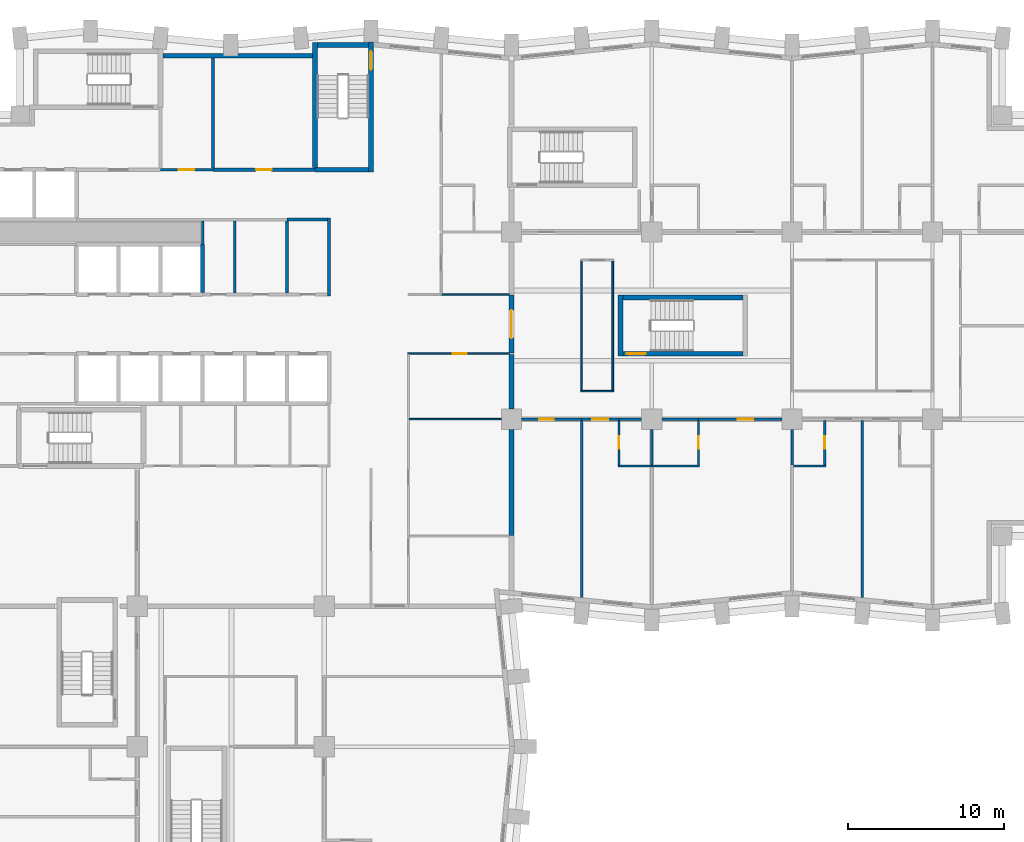
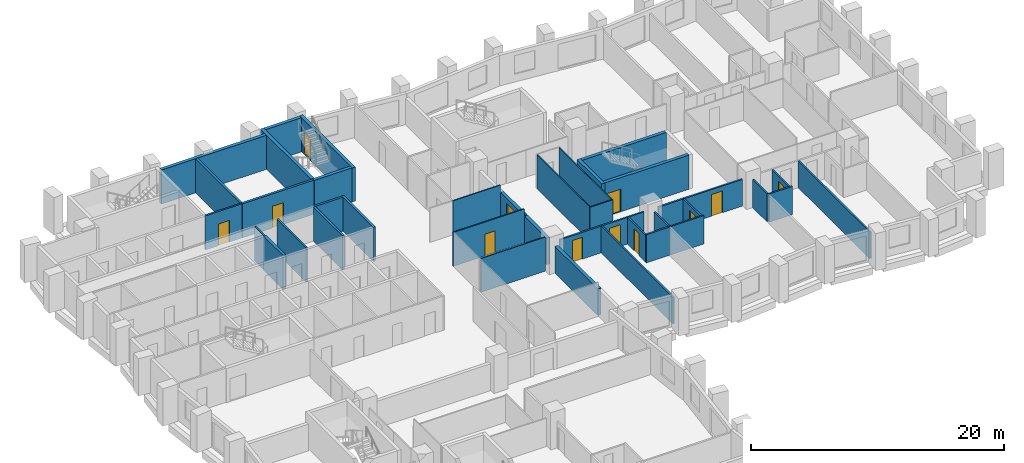
# One storey, part 7 of 13: 41 walls, 12 doors, 12 openings.
"""IFC4 building model written with IfcOpenShell, lengths in metres."""

from ifc_helpers import new_model, si_unit, direction, frame, frame_2d, origin, place, context, subcontext, project, spatial, rectangle, extrude, material, layer, layer_set, type_object, element, fill, save


model = new_model("IFC4")

# Units and contexts
model_context = context("Model", 3, precision=1e-05, world=origin(), true_north=direction((0.0, 1.0)))
body_context = subcontext(model_context, "Body", "Model", "MODEL_VIEW")
ifc_project = project(units=[si_unit("LENGTHUNIT", "METRE"), si_unit("AREAUNIT", "SQUARE_METRE"), si_unit("VOLUMEUNIT", "CUBIC_METRE"), si_unit("PLANEANGLEUNIT", "RADIAN"), si_unit("MASSUNIT", "GRAM", prefix="KILO")], contexts=[model_context])

# Site, building, storey
site_placement = place(None, origin())
site = spatial("IfcSite", under=ifc_project, at=site_placement, CompositionType="ELEMENT")
building_placement = place(site_placement, origin())
building = spatial("IfcBuilding", under=site, at=building_placement, Name="Brondeck Convention Tower", CompositionType="ELEMENT")
storey_placement = place(building_placement, frame((0.0, 0.0, 69.89990234375)))
storey = spatial("IfcBuildingStorey", under=building, at=storey_placement, Name="L15", CompositionType="ELEMENT", Elevation=69.89990234375)

# Walls
ifc_material_1 = material(Name="Concrete compartment wall C30/37", Category="concrete")
ifc_layer_1 = layer(ifc_material_1, 0.300048828125)
ifc_layer_set_1 = layer_set([ifc_layer_1], Name="Compartment wall 300")
wall_type_1 = type_object("IfcWallType", Name="Compartment wall 300", PredefinedType="PARTITIONING", material=ifc_layer_set_1)
wall_1_placement = place(storey_placement, frame((36.0, 38.344970703125, 0.0), z_axis=(0.0, 0.0, 1.0), x_axis=(0.0, -1.0, 0.0)))
element("IfcWall", 1, at=wall_1_placement, inside=storey, type_object=wall_type_1, Name="FLR-L15-W053", PredefinedType="PARTITIONING", context=body_context, shape_type="SweptSolid", body=[
    extrude(rectangle(XDim=6.794921875, YDim=0.300048828125, at=frame_2d((3.3974609375, 0.0))), origin(), (0.0, 0.0, 1.0), 2.580078125),
])
wall_2_placement = place(storey_placement, frame((36.0, 43.14990234375, 0.0), z_axis=(0.0, 0.0, 1.0), x_axis=(0.0, -1.0, 0.0)))
element("IfcWall", 2, at=wall_2_placement, inside=storey, type_object=wall_type_1, Name="FLR-L15-W078", PredefinedType="PARTITIONING", context=body_context, shape_type="SweptSolid", body=[
    extrude(rectangle(XDim=3.494873046875, YDim=0.300048828125, at=frame_2d((1.74755859375, 0.0))), origin(), (0.0, 0.0, 1.0), 2.580078125),
])

# Wall, opening, door
wall_3_placement = place(storey_placement, frame((36.0, 46.949951171875, 0.0), z_axis=(0.0, 0.0, 1.0), x_axis=(0.0, -1.0, 0.0)))
wall_3 = element("IfcWall", 3, at=wall_3_placement, inside=storey, type_object=wall_type_1, Name="FLR-L15-W082", PredefinedType="PARTITIONING", context=body_context, shape_type="SweptSolid", body=[
    extrude(rectangle(XDim=3.699951171875, YDim=0.300048828125, at=frame_2d((1.85009765625, 0.0))), origin(), (0.0, 0.0, 1.0), 2.580078125),
])
opening_1_placement = place(wall_3_placement, frame((0.949951171875, 0.0, 0.0)))
opening_1 = element("IfcOpeningElement", 4, at=opening_1_placement, cuts=wall_3, Name="Opening H4-041", PredefinedType="OPENING", context=body_context, shape_type="SweptSolid", body=[
    extrude(rectangle(XDim=1.800048828125, YDim=2.10009765625, at=frame_2d((0.89990234375, 1.050048828125))), frame((0.0, 0.159912109375, 0.0), z_axis=(0.0, -1.0, 0.0), x_axis=(1.0, 0.0, 0.0)), (0.0, 0.0, 1.0), 0.320068359375),
])
ifc_material_2 = material(Name="Steel fire door pair", Category="steel")
door_type_1 = type_object("IfcDoorType", Name="Fire door pair 1800", OperationType="DOUBLE_DOOR_SINGLE_SWING", PredefinedType="DOOR", material=ifc_material_2)
door_1_placement = place(opening_1_placement, origin())
door_1 = element("IfcDoor", 5, at=door_1_placement, inside=storey, type_object=door_type_1, Name="Door H4-041", OperationType="DOUBLE_DOOR_SINGLE_SWING", OverallHeight=2.10009765625, OverallWidth=1.800048828125, PredefinedType="DOOR", context=body_context, shape_type="SweptSolid", body=[
    extrude(rectangle(XDim=1.800048828125, YDim=2.10009765625, at=frame_2d((0.89990234375, 1.050048828125))), frame((0.0, 0.02490234375, 0.0), z_axis=(0.0, -1.0, 0.0), x_axis=(1.0, 0.0, 0.0)), (0.0, 0.0, 1.0), 0.050048828125),
])
fill(opening_1, door_1)

# Walls
ifc_material_3 = material(Name="Concrete C80/95", Category="concrete")
ifc_layer_2 = layer(ifc_material_3, 0.199951171875)
ifc_layer_set_2 = layer_set([ifc_layer_2], Name="Core beam-seat wall 200 Concrete C80/95")
wall_type_2 = type_object("IfcWallType", Name="Core beam-seat wall 200 Concrete C80/95", PredefinedType="SHEAR", material=ifc_layer_set_2)
wall_4_placement = place(storey_placement, frame((24.300048828125, 46.89990234375, 0.0), z_axis=(0.0, 0.0, 1.0), x_axis=(0.0, 1.0, 0.0)))
element("IfcWall", 6, at=wall_4_placement, inside=storey, type_object=wall_type_2, Name="L15 core wall", PredefinedType="SHEAR", context=body_context, shape_type="SweptSolid", body=[
    extrude(rectangle(XDim=5.0, YDim=0.199951171875, at=frame_2d((2.5, 0.0))), origin(), (0.0, 0.0, 1.0), 3.300048828125),
])
ifc_layer_3 = layer(ifc_material_3, 0.300048828125)
ifc_layer_set_3 = layer_set([ifc_layer_3], Name="Core outer wall 300 Concrete C80/95")
wall_type_3 = type_object("IfcWallType", Name="Core outer wall 300 Concrete C80/95", PredefinedType="SHEAR", material=ifc_layer_set_3)
wall_5_placement = place(storey_placement, frame((13.64990234375, 62.300048828125, 0.0), z_axis=(0.0, 0.0, 1.0), x_axis=(1.0, 0.0, 0.0)))
element("IfcWall", 7, at=wall_5_placement, inside=storey, type_object=wall_type_3, Name="L15 core wall", PredefinedType="SHEAR", context=body_context, shape_type="SweptSolid", body=[
    extrude(rectangle(XDim=9.60009765625, YDim=0.300048828125, at=frame_2d((4.800048828125, 0.0))), origin(), (0.0, 0.0, 1.0), 3.300048828125),
])

# Wall, opening, door
ifc_material_4 = material(Name="Fire-rated gypsum board partition")
ifc_layer_4 = layer(ifc_material_4, 0.14990234375)
ifc_layer_set_4 = layer_set([ifc_layer_4], Name="Core partition 150 EI 60")
wall_type_4 = type_object("IfcWallType", Name="Core partition 150 EI 60", PredefinedType="PARTITIONING", material=ifc_layer_set_4)
wall_6_placement = place(storey_placement, frame((13.5, 55.0, 0.0), z_axis=(0.0, 0.0, 1.0), x_axis=(1.0, 0.0, 0.0)))
wall_6 = element("IfcWall", 8, at=wall_6_placement, inside=storey, type_object=wall_type_4, Name="L15 core wall", PredefinedType="PARTITIONING", context=body_context, shape_type="SweptSolid", body=[
    extrude(rectangle(XDim=3.35009765625, YDim=0.14990234375, at=frame_2d((1.675048828125, 0.0))), origin(), (0.0, 0.0, 1.0), 3.300048828125),
])
opening_2_placement = place(wall_6_placement, frame((1.175048828125, 0.0, 0.0)))
opening_2 = element("IfcOpeningElement", 9, at=opening_2_placement, cuts=wall_6, Name="Opening C11-14", PredefinedType="OPENING", context=body_context, shape_type="SweptSolid", body=[
    extrude(rectangle(XDim=1.0, YDim=2.10009765625, at=frame_2d((0.5, 1.050048828125))), frame((0.0, 0.0849609375, 0.0), z_axis=(0.0, -1.0, 0.0), x_axis=(1.0, 0.0, 0.0)), (0.0, 0.0, 1.0), 0.169921875),
])
ifc_material_5 = material(Name="Steel fire door", Category="steel")
door_type_2 = type_object("IfcDoorType", Name="Room door 1000x2100 EI 60", OperationType="NOTDEFINED", PredefinedType="DOOR", material=ifc_material_5)
door_2_placement = place(opening_2_placement, origin())
door_2 = element("IfcDoor", 10, at=door_2_placement, inside=storey, type_object=door_type_2, Name="L15 Room door NE-1", OperationType="SINGLE_SWING_LEFT", OverallHeight=2.10009765625, OverallWidth=1.0, PredefinedType="DOOR", context=body_context, shape_type="SweptSolid", body=[
    extrude(rectangle(XDim=1.0, YDim=2.10009765625, at=frame_2d((0.5, 1.050048828125))), frame((0.0, 0.02490234375, 0.0), z_axis=(0.0, -1.0, 0.0), x_axis=(1.0, 0.0, 0.0)), (0.0, 0.0, 1.0), 0.050048828125),
])
fill(opening_2, door_2)

# Walls
wall_7_placement = place(storey_placement, frame((16.199951171875, 50.199951171875, 0.0), z_axis=(0.0, 0.0, 1.0), x_axis=(0.0, 1.0, 0.0)))
element("IfcWall", 11, at=wall_7_placement, inside=storey, type_object=wall_type_4, Name="L15 core wall", PredefinedType="PARTITIONING", context=body_context, shape_type="SweptSolid", body=[
    extrude(rectangle(XDim=1.525146484375, YDim=0.14990234375, at=frame_2d((0.7626953125, 0.0))), origin(), (0.0, 0.0, 1.0), 3.300048828125),
])
wall_8_placement = place(storey_placement, frame((18.25, 47.10009765625, 0.0), z_axis=(0.0, 0.0, 1.0), x_axis=(0.0, 1.0, 0.0)))
element("IfcWall", 12, at=wall_8_placement, inside=storey, type_object=wall_type_4, Name="L15 core wall", PredefinedType="PARTITIONING", context=body_context, shape_type="SweptSolid", body=[
    extrude(rectangle(XDim=4.625, YDim=0.14990234375, at=frame_2d((2.3125, 0.0))), origin(), (0.0, 0.0, 1.0), 3.300048828125),
])
ifc_material_6 = material(Name="Double gypsum board acoustic wall")
ifc_layer_5 = layer(ifc_material_6, 0.14990234375)
ifc_layer_set_5 = layer_set([ifc_layer_5], Name="Guest room party wall 150")
wall_type_5 = type_object("IfcWallType", Name="Guest room party wall 150", PredefinedType="PARTITIONING", material=ifc_layer_set_5)
wall_9_placement = place(storey_placement, frame((42.824951171875, 36.0, 0.0), z_axis=(0.0, 0.0, 1.0), x_axis=(1.0, 0.0, 0.0)))
element("IfcWall", 13, at=wall_9_placement, inside=storey, type_object=wall_type_5, Name="FLR-L15-W047", PredefinedType="PARTITIONING", context=body_context, shape_type="SweptSolid", body=[
    extrude(rectangle(XDim=2.175048828125, YDim=0.14990234375, at=frame_2d((1.08740234375, 0.0))), origin(), (0.0, 0.0, 1.0), 2.72998046875),
])
wall_10_placement = place(storey_placement, frame((45.0, 36.0, 0.0), z_axis=(0.0, 0.0, 1.0), x_axis=(1.0, 0.0, 0.0)))
element("IfcWall", 14, at=wall_10_placement, inside=storey, type_object=wall_type_5, Name="FLR-L15-W048", PredefinedType="PARTITIONING", context=body_context, shape_type="SweptSolid", body=[
    extrude(rectangle(XDim=3.074951171875, YDim=0.14990234375, at=frame_2d((1.53759765625, 0.0))), origin(), (0.0, 0.0, 1.0), 2.72998046875),
])
wall_11_placement = place(storey_placement, frame((54.074951171875, 36.0, 0.0), z_axis=(0.0, 0.0, 1.0), x_axis=(1.0, 0.0, 0.0)))
element("IfcWall", 15, at=wall_11_placement, inside=storey, type_object=wall_type_5, Name="FLR-L15-W049", PredefinedType="PARTITIONING", context=body_context, shape_type="SweptSolid", body=[
    extrude(rectangle(XDim=2.10009765625, YDim=0.14990234375, at=frame_2d((1.050048828125, 0.0))), origin(), (0.0, 0.0, 1.0), 2.72998046875),
])

# Wall, opening, door
wall_12_placement = place(storey_placement, frame((48.0, 36.074951171875, 0.0), z_axis=(0.0, 0.0, 1.0), x_axis=(0.0, 1.0, 0.0)))
wall_12 = element("IfcWall", 16, at=wall_12_placement, inside=storey, type_object=wall_type_5, Name="FLR-L15-W051", PredefinedType="PARTITIONING", context=body_context, shape_type="SweptSolid", body=[
    extrude(rectangle(XDim=2.85009765625, YDim=0.14990234375, at=frame_2d((1.425048828125, 0.0))), origin(), (0.0, 0.0, 1.0), 2.580078125),
])
opening_3_placement = place(wall_12_placement, frame((1.02490234375, 0.0, 0.0)))
opening_3 = element("IfcOpeningElement", 17, at=opening_3_placement, cuts=wall_12, Name="Opening H4-012", PredefinedType="OPENING", context=body_context, shape_type="SweptSolid", body=[
    extrude(rectangle(XDim=0.800048828125, YDim=2.10009765625, at=frame_2d((0.39990234375, 1.050048828125))), frame((0.0, 0.0849609375, 0.0), z_axis=(0.0, -1.0, 0.0), x_axis=(1.0, 0.0, 0.0)), (0.0, 0.0, 1.0), 0.169921875),
])
ifc_material_7 = material(Name="Solid timber door leaf", Category="wood")
door_type_3 = type_object("IfcDoorType", Name="En-suite door 800", OperationType="NOTDEFINED", PredefinedType="DOOR", material=ifc_material_7)
door_3_placement = place(opening_3_placement, origin())
door_3 = element("IfcDoor", 18, at=door_3_placement, inside=storey, type_object=door_type_3, Name="Door H4-012", OperationType="SINGLE_SWING_RIGHT", OverallHeight=2.10009765625, OverallWidth=0.800048828125, PredefinedType="DOOR", context=body_context, shape_type="SweptSolid", body=[
    extrude(rectangle(XDim=0.800048828125, YDim=2.10009765625, at=frame_2d((0.39990234375, 1.050048828125))), frame((0.0, 0.02490234375, 0.0), z_axis=(0.0, -1.0, 0.0), x_axis=(1.0, 0.0, 0.0)), (0.0, 0.0, 1.0), 0.050048828125),
])
fill(opening_3, door_3)

wall_13_placement = place(storey_placement, frame((56.10009765625, 36.074951171875, 0.0), z_axis=(0.0, 0.0, 1.0), x_axis=(0.0, 1.0, 0.0)))
wall_13 = element("IfcWall", 19, at=wall_13_placement, inside=storey, type_object=wall_type_5, Name="FLR-L15-W052", PredefinedType="PARTITIONING", context=body_context, shape_type="SweptSolid", body=[
    extrude(rectangle(XDim=2.85009765625, YDim=0.14990234375, at=frame_2d((1.425048828125, 0.0))), origin(), (0.0, 0.0, 1.0), 2.580078125),
])
opening_4_placement = place(wall_13_placement, frame((1.02490234375, 0.0, 0.0)))
opening_4 = element("IfcOpeningElement", 20, at=opening_4_placement, cuts=wall_13, Name="Opening H4-014", PredefinedType="OPENING", context=body_context, shape_type="SweptSolid", body=[
    extrude(rectangle(XDim=0.800048828125, YDim=2.10009765625, at=frame_2d((0.39990234375, 1.050048828125))), frame((0.0, 0.0849609375, 0.0), z_axis=(0.0, -1.0, 0.0), x_axis=(1.0, 0.0, 0.0)), (0.0, 0.0, 1.0), 0.169921875),
])
door_4_placement = place(opening_4_placement, origin())
door_4 = element("IfcDoor", 21, at=door_4_placement, inside=storey, type_object=door_type_3, Name="Door H4-014", OperationType="SINGLE_SWING_LEFT", OverallHeight=2.10009765625, OverallWidth=0.800048828125, PredefinedType="DOOR", context=body_context, shape_type="SweptSolid", body=[
    extrude(rectangle(XDim=0.800048828125, YDim=2.10009765625, at=frame_2d((0.39990234375, 1.050048828125))), frame((0.0, 0.02490234375, 0.0), z_axis=(0.0, -1.0, 0.0), x_axis=(1.0, 0.0, 0.0)), (0.0, 0.0, 1.0), 0.050048828125),
])
fill(opening_4, door_4)

# Walls
for number, where, z_axis, x_axis, name in (
    (22, (45.0, 38.344970703125, 0.0), (0.0, 0.0, 1.0), (0.0, -1.0, 0.0), "FLR-L15-W054"),
    (23, (54.0, 38.344970703125, 0.0), (0.0, 0.0, 1.0), (0.0, -1.0, 0.0), "FLR-L15-W055"),
):
    element("IfcWall", number, at=place(storey_placement, frame(where, z_axis=z_axis, x_axis=x_axis)), inside=storey, type_object=wall_type_5, Name=name, PredefinedType="PARTITIONING", context=body_context, shape_type="SweptSolid", body=[
        extrude(rectangle(XDim=2.27001953125, YDim=0.14990234375, at=frame_2d((1.135009765625, 0.0))), origin(), (0.0, 0.0, 1.0), 2.72998046875),
    ])
wall_14_placement = place(storey_placement, frame((40.5, 38.925048828125, 0.0), z_axis=(0.0, 0.0, 1.0), x_axis=(0.0, -1.0, 0.0)))
element("IfcWall", 24, at=wall_14_placement, inside=storey, type_object=wall_type_5, Name="FLR-L15-W057", PredefinedType="PARTITIONING", context=body_context, shape_type="SweptSolid", body=[
    extrude(rectangle(XDim=11.35009765625, YDim=0.14990234375, at=frame_2d((5.675048828125, 0.0))), origin(), (0.0, 0.0, 1.0), 2.580078125),
])

# Wall, opening, door
wall_15_placement = place(storey_placement, frame((42.89990234375, 38.925048828125, 0.0), z_axis=(0.0, 0.0, 1.0), x_axis=(0.0, -1.0, 0.0)))
wall_15 = element("IfcWall", 25, at=wall_15_placement, inside=storey, type_object=wall_type_5, Name="FLR-L15-W058", PredefinedType="PARTITIONING", context=body_context, shape_type="SweptSolid", body=[
    extrude(rectangle(XDim=2.85009765625, YDim=0.14990234375, at=frame_2d((1.425048828125, 0.0))), origin(), (0.0, 0.0, 1.0), 2.580078125),
])
opening_5_placement = place(wall_15_placement, frame((1.02490234375, 0.0, 0.0)))
opening_5 = element("IfcOpeningElement", 26, at=opening_5_placement, cuts=wall_15, Name="Opening H4-010", PredefinedType="OPENING", context=body_context, shape_type="SweptSolid", body=[
    extrude(rectangle(XDim=0.800048828125, YDim=2.10009765625, at=frame_2d((0.39990234375, 1.050048828125))), frame((0.0, 0.0849609375, 0.0), z_axis=(0.0, -1.0, 0.0), x_axis=(1.0, 0.0, 0.0)), (0.0, 0.0, 1.0), 0.169921875),
])
door_5_placement = place(opening_5_placement, origin())
door_5 = element("IfcDoor", 27, at=door_5_placement, inside=storey, type_object=door_type_3, Name="Door H4-010", OperationType="SINGLE_SWING_LEFT", OverallHeight=2.10009765625, OverallWidth=0.800048828125, PredefinedType="DOOR", context=body_context, shape_type="SweptSolid", body=[
    extrude(rectangle(XDim=0.800048828125, YDim=2.10009765625, at=frame_2d((0.39990234375, 1.050048828125))), frame((0.0, 0.02490234375, 0.0), z_axis=(0.0, -1.0, 0.0), x_axis=(1.0, 0.0, 0.0)), (0.0, 0.0, 1.0), 0.050048828125),
])
fill(opening_5, door_5)

# Wall
wall_16_placement = place(storey_placement, frame((58.5, 38.925048828125, 0.0), z_axis=(0.0, 0.0, 1.0), x_axis=(0.0, -1.0, 0.0)))
element("IfcWall", 28, at=wall_16_placement, inside=storey, type_object=wall_type_5, Name="FLR-L15-W059", PredefinedType="PARTITIONING", context=body_context, shape_type="SweptSolid", body=[
    extrude(rectangle(XDim=11.35009765625, YDim=0.14990234375, at=frame_2d((5.675048828125, 0.0))), origin(), (0.0, 0.0, 1.0), 2.580078125),
])

# Wall, opening, door
wall_17_placement = place(storey_placement, frame((40.5, 39.0, 0.0), z_axis=(0.0, 0.0, 1.0), x_axis=(-1.0, 0.0, 0.0)))
wall_17 = element("IfcWall", 29, at=wall_17_placement, inside=storey, type_object=wall_type_5, Name="FLR-L15-W063", PredefinedType="PARTITIONING", context=body_context, shape_type="SweptSolid", body=[
    extrude(rectangle(XDim=3.844970703125, YDim=0.14990234375, at=frame_2d((1.92236328125, 0.0))), origin(), (0.0, 0.0, 1.0), 2.580078125),
])
opening_6_placement = place(wall_17_placement, frame((1.800048828125, 0.0, 0.0)))
opening_6 = element("IfcOpeningElement", 30, at=opening_6_placement, cuts=wall_17, Name="Opening H4-008", PredefinedType="OPENING", context=body_context, shape_type="SweptSolid", body=[
    extrude(rectangle(XDim=0.89990234375, YDim=2.10009765625, at=frame_2d((0.449951171875, 1.050048828125))), frame((0.0, 0.0849609375, 0.0), z_axis=(0.0, -1.0, 0.0), x_axis=(1.0, 0.0, 0.0)), (0.0, 0.0, 1.0), 0.169921875),
])
door_type_4 = type_object("IfcDoorType", Name="Single door 900", OperationType="NOTDEFINED", PredefinedType="DOOR", material=ifc_material_7)
door_6_placement = place(opening_6_placement, origin())
door_6 = element("IfcDoor", 31, at=door_6_placement, inside=storey, type_object=door_type_4, Name="Door H4-008", OperationType="SINGLE_SWING_LEFT", OverallHeight=2.10009765625, OverallWidth=0.89990234375, PredefinedType="DOOR", context=body_context, shape_type="SweptSolid", body=[
    extrude(rectangle(XDim=0.89990234375, YDim=2.10009765625, at=frame_2d((0.449951171875, 1.050048828125))), frame((0.0, 0.02490234375, 0.0), z_axis=(0.0, -1.0, 0.0), x_axis=(1.0, 0.0, 0.0)), (0.0, 0.0, 1.0), 0.050048828125),
])
fill(opening_6, door_6)

wall_18_placement = place(storey_placement, frame((42.89990234375, 39.0, 0.0), z_axis=(0.0, 0.0, 1.0), x_axis=(-1.0, 0.0, 0.0)))
wall_18 = element("IfcWall", 32, at=wall_18_placement, inside=storey, type_object=wall_type_5, Name="FLR-L15-W064", PredefinedType="PARTITIONING", context=body_context, shape_type="SweptSolid", body=[
    extrude(rectangle(XDim=2.39990234375, YDim=0.14990234375, at=frame_2d((1.199951171875, 0.0))), origin(), (0.0, 0.0, 1.0), 2.580078125),
])
opening_7_placement = place(wall_18_placement, frame((0.699951171875, 0.0, 0.0)))
opening_7 = element("IfcOpeningElement", 33, at=opening_7_placement, cuts=wall_18, Name="Opening H4-009", PredefinedType="OPENING", context=body_context, shape_type="SweptSolid", body=[
    extrude(rectangle(XDim=1.0, YDim=2.10009765625, at=frame_2d((0.5, 1.050048828125))), frame((0.0, 0.0849609375, 0.0), z_axis=(0.0, -1.0, 0.0), x_axis=(1.0, 0.0, 0.0)), (0.0, 0.0, 1.0), 0.169921875),
])
ifc_material_8 = material(Name="Solid timber fire door leaf", Category="wood")
door_type_5 = type_object("IfcDoorType", Name="Guest room door 1000", OperationType="NOTDEFINED", PredefinedType="DOOR", material=ifc_material_8)
door_7_placement = place(opening_7_placement, origin())
door_7 = element("IfcDoor", 34, at=door_7_placement, inside=storey, type_object=door_type_5, Name="Door H4-009", OperationType="SINGLE_SWING_LEFT", OverallHeight=2.10009765625, OverallWidth=1.0, PredefinedType="DOOR", context=body_context, shape_type="SweptSolid", body=[
    extrude(rectangle(XDim=1.0, YDim=2.10009765625, at=frame_2d((0.5, 1.050048828125))), frame((0.0, 0.02490234375, 0.0), z_axis=(0.0, -1.0, 0.0), x_axis=(1.0, 0.0, 0.0)), (0.0, 0.0, 1.0), 0.050048828125),
])
fill(opening_7, door_7)

# Walls
wall_19_placement = place(storey_placement, frame((44.344970703125, 39.0, 0.0), z_axis=(0.0, 0.0, 1.0), x_axis=(-1.0, 0.0, 0.0)))
element("IfcWall", 35, at=wall_19_placement, inside=storey, type_object=wall_type_5, Name="FLR-L15-W065", PredefinedType="PARTITIONING", context=body_context, shape_type="SweptSolid", body=[
    extrude(rectangle(XDim=1.445068359375, YDim=0.14990234375, at=frame_2d((0.72265625, 0.0))), origin(), (0.0, 0.0, 1.0), 2.580078125),
])
wall_20_placement = place(storey_placement, frame((48.0, 39.0, 0.0), z_axis=(0.0, 0.0, 1.0), x_axis=(-1.0, 0.0, 0.0)))
element("IfcWall", 36, at=wall_20_placement, inside=storey, type_object=wall_type_5, Name="FLR-L15-W066", PredefinedType="PARTITIONING", context=body_context, shape_type="SweptSolid", body=[
    extrude(rectangle(XDim=2.344970703125, YDim=0.14990234375, at=frame_2d((1.17236328125, 0.0))), origin(), (0.0, 0.0, 1.0), 2.580078125),
])

# Wall, opening, door
wall_21_placement = place(storey_placement, frame((53.344970703125, 39.0, 0.0), z_axis=(0.0, 0.0, 1.0), x_axis=(-1.0, 0.0, 0.0)))
wall_21 = element("IfcWall", 37, at=wall_21_placement, inside=storey, type_object=wall_type_5, Name="FLR-L15-W067", PredefinedType="PARTITIONING", context=body_context, shape_type="SweptSolid", body=[
    extrude(rectangle(XDim=5.344970703125, YDim=0.14990234375, at=frame_2d((2.67236328125, 0.0))), origin(), (0.0, 0.0, 1.0), 2.580078125),
])
opening_8_placement = place(wall_21_placement, frame((1.844970703125, 0.0, 0.0)))
opening_8 = element("IfcOpeningElement", 38, at=opening_8_placement, cuts=wall_21, Name="Opening H4-011", PredefinedType="OPENING", context=body_context, shape_type="SweptSolid", body=[
    extrude(rectangle(XDim=1.0, YDim=2.10009765625, at=frame_2d((0.5, 1.050048828125))), frame((0.0, 0.0849609375, 0.0), z_axis=(0.0, -1.0, 0.0), x_axis=(1.0, 0.0, 0.0)), (0.0, 0.0, 1.0), 0.169921875),
])
door_8_placement = place(opening_8_placement, origin())
door_8 = element("IfcDoor", 39, at=door_8_placement, inside=storey, type_object=door_type_5, Name="Door H4-011", OperationType="SINGLE_SWING_RIGHT", OverallHeight=2.10009765625, OverallWidth=1.0, PredefinedType="DOOR", context=body_context, shape_type="SweptSolid", body=[
    extrude(rectangle(XDim=1.0, YDim=2.10009765625, at=frame_2d((0.5, 1.050048828125))), frame((0.0, 0.02490234375, 0.0), z_axis=(0.0, -1.0, 0.0), x_axis=(1.0, 0.0, 0.0)), (0.0, 0.0, 1.0), 0.050048828125),
])
fill(opening_8, door_8)

# Walls
ifc_layer_6 = layer(ifc_material_3, 0.25)
ifc_layer_set_6 = layer_set([ifc_layer_6], Name="Lift shaft wall 250 Concrete C80/95")
wall_type_6 = type_object("IfcWallType", Name="Lift shaft wall 250 Concrete C80/95", PredefinedType="SHEAR", material=ifc_layer_set_6)
wall_22_placement = place(storey_placement, frame((16.199951171875, 47.125, 0.0), z_axis=(0.0, 0.0, 1.0), x_axis=(0.0, 1.0, 0.0)))
element("IfcWall", 40, at=wall_22_placement, inside=storey, type_object=wall_type_6, Name="L15 core wall", PredefinedType="SHEAR", context=body_context, shape_type="SweptSolid", body=[
    extrude(rectangle(XDim=3.074951171875, YDim=0.25, at=frame_2d((1.53759765625, 0.0))), origin(), (0.0, 0.0, 1.0), 3.300048828125),
])
ifc_layer_7 = layer(ifc_material_4, 0.199951171875)
ifc_layer_set_7 = layer_set([ifc_layer_7], Name="Riser wall 200 EI 120")
wall_type_7 = type_object("IfcWallType", Name="Riser wall 200 EI 120", PredefinedType="PARTITIONING", material=ifc_layer_set_7)
wall_23_placement = place(storey_placement, frame((21.60009765625, 51.800048828125, 0.0), z_axis=(0.0, 0.0, 1.0), x_axis=(1.0, 0.0, 0.0)))
element("IfcWall", 41, at=wall_23_placement, inside=storey, type_object=wall_type_7, Name="L15 core wall", PredefinedType="PARTITIONING", context=body_context, shape_type="SweptSolid", body=[
    extrude(rectangle(XDim=2.599853515625, YDim=0.199951171875, at=frame_2d((1.2998046875, 0.0))), origin(), (0.0, 0.0, 1.0), 3.300048828125),
])

# Wall, opening, door
wall_24_placement = place(storey_placement, frame((16.85009765625, 55.0, 0.0), z_axis=(0.0, 0.0, 1.0), x_axis=(1.0, 0.0, 0.0)))
wall_24 = element("IfcWall", 42, at=wall_24_placement, inside=storey, type_object=wall_type_7, Name="L15 core wall", PredefinedType="PARTITIONING", context=body_context, shape_type="SweptSolid", body=[
    extrude(rectangle(XDim=6.5498046875, YDim=0.199951171875, at=frame_2d((3.27490234375, 0.0))), origin(), (0.0, 0.0, 1.0), 3.300048828125),
])
opening_9_placement = place(wall_24_placement, frame((2.77490234375, 0.0, 0.0)))
opening_9 = element("IfcOpeningElement", 43, at=opening_9_placement, cuts=wall_24, Name="Opening C11-15", PredefinedType="OPENING", context=body_context, shape_type="SweptSolid", body=[
    extrude(rectangle(XDim=1.0, YDim=2.10009765625, at=frame_2d((0.5, 1.050048828125))), frame((0.0, 0.10986328125, 0.0), z_axis=(0.0, -1.0, 0.0), x_axis=(1.0, 0.0, 0.0)), (0.0, 0.0, 1.0), 0.219970703125),
])
door_type_6 = type_object("IfcDoorType", Name="Riser door 1000x2100 EI 120", OperationType="NOTDEFINED", PredefinedType="DOOR", material=ifc_material_5)
door_9_placement = place(opening_9_placement, origin())
door_9 = element("IfcDoor", 44, at=door_9_placement, inside=storey, type_object=door_type_6, Name="L15 Riser door NE-2", OperationType="SINGLE_SWING_RIGHT", OverallHeight=2.10009765625, OverallWidth=1.0, PredefinedType="DOOR", context=body_context, shape_type="SweptSolid", body=[
    extrude(rectangle(XDim=1.0, YDim=2.10009765625, at=frame_2d((0.5, 1.050048828125))), frame((0.0, 0.02490234375, 0.0), z_axis=(0.0, -1.0, 0.0), x_axis=(1.0, 0.0, 0.0)), (0.0, 0.0, 1.0), 0.050048828125),
])
fill(opening_9, door_9)

# Walls
wall_25_placement = place(storey_placement, frame((16.85009765625, 55.10009765625, 0.0), z_axis=(0.0, 0.0, 1.0), x_axis=(0.0, 1.0, 0.0)))
element("IfcWall", 45, at=wall_25_placement, inside=storey, type_object=wall_type_7, Name="L15 core wall", PredefinedType="PARTITIONING", context=body_context, shape_type="SweptSolid", body=[
    extrude(rectangle(XDim=7.0498046875, YDim=0.199951171875, at=frame_2d((3.52490234375, 0.0))), origin(), (0.0, 0.0, 1.0), 3.300048828125),
])
wall_26_placement = place(storey_placement, frame((21.60009765625, 47.10009765625, 0.0), z_axis=(0.0, 0.0, 1.0), x_axis=(0.0, 1.0, 0.0)))
element("IfcWall", 46, at=wall_26_placement, inside=storey, type_object=wall_type_7, Name="L15 core wall", PredefinedType="PARTITIONING", context=body_context, shape_type="SweptSolid", body=[
    extrude(rectangle(XDim=4.599853515625, YDim=0.199951171875, at=frame_2d((2.2998046875, 0.0))), origin(), (0.0, 0.0, 1.0), 3.300048828125),
])
ifc_material_9 = material(Name="Gypsum board partition on steel studs", Category="steel")
ifc_layer_8 = layer(ifc_material_9, 0.10009765625)
ifc_layer_set_8 = layer_set([ifc_layer_8], Name="Room partition 100")
wall_type_8 = type_object("IfcWallType", Name="Room partition 100", PredefinedType="PARTITIONING", material=ifc_layer_set_8)
wall_27_placement = place(storey_placement, frame((35.344970703125, 39.0, 0.0), z_axis=(0.0, 0.0, 1.0), x_axis=(-1.0, 0.0, 0.0)))
element("IfcWall", 47, at=wall_27_placement, inside=storey, type_object=wall_type_8, Name="FLR-L15-W062", PredefinedType="PARTITIONING", context=body_context, shape_type="SweptSolid", body=[
    extrude(rectangle(XDim=5.89501953125, YDim=0.10009765625, at=frame_2d((2.947509765625, 0.0))), origin(), (0.0, 0.0, 1.0), 3.280029296875),
])
wall_28_placement = place(storey_placement, frame((40.449951171875, 40.800048828125, 0.0), z_axis=(0.0, 0.0, 1.0), x_axis=(1.0, 0.0, 0.0)))
element("IfcWall", 48, at=wall_28_placement, inside=storey, type_object=wall_type_8, Name="FLR-L15-W073", PredefinedType="PARTITIONING", context=body_context, shape_type="SweptSolid", body=[
    extrude(rectangle(XDim=2.10009765625, YDim=0.10009765625, at=frame_2d((1.050048828125, 0.0))), origin(), (0.0, 0.0, 1.0), 3.280029296875),
])

# Wall, opening, door
wall_29_placement = place(storey_placement, frame((35.85009765625, 43.199951171875, 0.0), z_axis=(0.0, 0.0, 1.0), x_axis=(-1.0, 0.0, 0.0)))
wall_29 = element("IfcWall", 49, at=wall_29_placement, inside=storey, type_object=wall_type_8, Name="FLR-L15-W079", PredefinedType="PARTITIONING", context=body_context, shape_type="SweptSolid", body=[
    extrude(rectangle(XDim=6.5, YDim=0.10009765625, at=frame_2d((3.25, 0.0))), origin(), (0.0, 0.0, 1.0), 3.280029296875),
])
opening_10_placement = place(wall_29_placement, frame((2.699951171875, 0.0, 0.0)))
opening_10 = element("IfcOpeningElement", 50, at=opening_10_placement, cuts=wall_29, Name="Opening H4-036", PredefinedType="OPENING", context=body_context, shape_type="SweptSolid", body=[
    extrude(rectangle(XDim=0.89990234375, YDim=2.10009765625, at=frame_2d((0.449951171875, 1.050048828125))), frame((0.0, 0.06005859375, 0.0), z_axis=(0.0, -1.0, 0.0), x_axis=(1.0, 0.0, 0.0)), (0.0, 0.0, 1.0), 0.1201171875),
])
door_10_placement = place(opening_10_placement, origin())
door_10 = element("IfcDoor", 51, at=door_10_placement, inside=storey, type_object=door_type_4, Name="Door H4-036", OperationType="SINGLE_SWING_LEFT", OverallHeight=2.10009765625, OverallWidth=0.89990234375, PredefinedType="DOOR", context=body_context, shape_type="SweptSolid", body=[
    extrude(rectangle(XDim=0.89990234375, YDim=2.10009765625, at=frame_2d((0.449951171875, 1.050048828125))), frame((0.0, 0.02490234375, 0.0), z_axis=(0.0, -1.0, 0.0), x_axis=(1.0, 0.0, 0.0)), (0.0, 0.0, 1.0), 0.050048828125),
])
fill(opening_10, door_10)

# Walls
wall_30_placement = place(storey_placement, frame((31.5, 47.0, 0.0), z_axis=(0.0, 0.0, 1.0), x_axis=(1.0, 0.0, 0.0)))
element("IfcWall", 52, at=wall_30_placement, inside=storey, type_object=wall_type_8, Name="FLR-L15-W084", PredefinedType="PARTITIONING", context=body_context, shape_type="SweptSolid", body=[
    extrude(rectangle(XDim=4.35009765625, YDim=0.10009765625, at=frame_2d((2.175048828125, 0.0))), origin(), (0.0, 0.0, 1.0), 3.280029296875),
])
for number, where, z_axis, x_axis, name in (
    (53, (40.5, 49.14990234375, 0.0), (0.0, 0.0, 1.0), (0.0, -1.0, 0.0), "FLR-L15-W085"),
    (54, (42.5, 49.14990234375, 0.0), (0.0, 0.0, 1.0), (0.0, -1.0, 0.0), "FLR-L15-W086"),
):
    element("IfcWall", number, at=place(storey_placement, frame(where, z_axis=z_axis, x_axis=x_axis)), inside=storey, type_object=wall_type_8, Name=name, PredefinedType="PARTITIONING", context=body_context, shape_type="SweptSolid", body=[
        extrude(rectangle(XDim=8.2998046875, YDim=0.10009765625, at=frame_2d((4.14990234375, 0.0))), origin(), (0.0, 0.0, 1.0), 3.280029296875),
    ])

# Wall, opening, door
ifc_layer_9 = layer(ifc_material_3, 0.300048828125)
ifc_layer_set_9 = layer_set([ifc_layer_9], Name="Stair enclosure wall 300 Concrete C80/95")
wall_type_9 = type_object("IfcWallType", Name="Stair enclosure wall 300 Concrete C80/95", PredefinedType="SHEAR", material=ifc_layer_set_9)
wall_31_placement = place(storey_placement, frame((43.14990234375, 43.199951171875, 0.0), z_axis=(0.0, 0.0, 1.0), x_axis=(1.0, 0.0, 0.0)))
wall_31 = element("IfcWall", 55, at=wall_31_placement, inside=storey, type_object=wall_type_9, Name="L15 core wall", PredefinedType="SHEAR", context=body_context, shape_type="SweptSolid", body=[
    extrude(rectangle(XDim=7.7001953125, YDim=0.300048828125, at=frame_2d((3.85009765625, 0.0))), origin(), (0.0, 0.0, 1.0), 3.300048828125),
])
opening_11_placement = place(wall_31_placement, frame((0.25, 0.0, 0.0)))
opening_11 = element("IfcOpeningElement", 56, at=opening_11_placement, cuts=wall_31, Name="Opening C11-20", PredefinedType="OPENING", context=body_context, shape_type="SweptSolid", body=[
    extrude(rectangle(XDim=1.199951171875, YDim=2.199951171875, at=frame_2d((0.60009765625, 1.10009765625))), frame((0.0, 0.159912109375, 0.0), z_axis=(0.0, -1.0, 0.0), x_axis=(1.0, 0.0, 0.0)), (0.0, 0.0, 1.0), 0.320068359375),
])
door_type_7 = type_object("IfcDoorType", Name="Stair door 1200x2200 EI 90", OperationType="NOTDEFINED", PredefinedType="DOOR", material=ifc_material_5)
door_11_placement = place(opening_11_placement, origin())
door_11 = element("IfcDoor", 57, at=door_11_placement, inside=storey, type_object=door_type_7, Name="L15 Stair door ST-AF", OperationType="SINGLE_SWING_RIGHT", OverallHeight=2.199951171875, OverallWidth=1.199951171875, PredefinedType="DOOR", context=body_context, shape_type="SweptSolid", body=[
    extrude(rectangle(XDim=1.199951171875, YDim=2.199951171875, at=frame_2d((0.60009765625, 1.10009765625))), frame((0.0, 0.02490234375, 0.0), z_axis=(0.0, -1.0, 0.0), x_axis=(1.0, 0.0, 0.0)), (0.0, 0.0, 1.0), 0.050048828125),
])
fill(opening_11, door_11)

# Walls
wall_32_placement = place(storey_placement, frame((43.14990234375, 46.800048828125, 0.0), z_axis=(0.0, 0.0, 1.0), x_axis=(1.0, 0.0, 0.0)))
element("IfcWall", 58, at=wall_32_placement, inside=storey, type_object=wall_type_9, Name="L15 core wall", PredefinedType="SHEAR", context=body_context, shape_type="SweptSolid", body=[
    extrude(rectangle(XDim=7.7001953125, YDim=0.300048828125, at=frame_2d((3.85009765625, 0.0))), origin(), (0.0, 0.0, 1.0), 3.300048828125),
])
wall_33_placement = place(storey_placement, frame((23.39990234375, 55.0, 0.0), z_axis=(0.0, 0.0, 1.0), x_axis=(1.0, 0.0, 0.0)))
element("IfcWall", 59, at=wall_33_placement, inside=storey, type_object=wall_type_9, Name="L15 core wall", PredefinedType="SHEAR", context=body_context, shape_type="SweptSolid", body=[
    extrude(rectangle(XDim=3.4501953125, YDim=0.300048828125, at=frame_2d((1.72509765625, 0.0))), origin(), (0.0, 0.0, 1.0), 3.300048828125),
])
wall_34_placement = place(storey_placement, frame((23.550048828125, 63.0, 0.0), z_axis=(0.0, 0.0, 1.0), x_axis=(1.0, 0.0, 0.0)))
element("IfcWall", 60, at=wall_34_placement, inside=storey, type_object=wall_type_9, Name="L15 core wall", PredefinedType="SHEAR", context=body_context, shape_type="SweptSolid", body=[
    extrude(rectangle(XDim=3.300048828125, YDim=0.300048828125, at=frame_2d((1.64990234375, 0.0))), origin(), (0.0, 0.0, 1.0), 3.300048828125),
])
wall_35_placement = place(storey_placement, frame((23.39990234375, 55.14990234375, 0.0), z_axis=(0.0, 0.0, 1.0), x_axis=(0.0, 1.0, 0.0)))
element("IfcWall", 61, at=wall_35_placement, inside=storey, type_object=wall_type_9, Name="L15 core wall", PredefinedType="SHEAR", context=body_context, shape_type="SweptSolid", body=[
    extrude(rectangle(XDim=8.0, YDim=0.300048828125, at=frame_2d((4.0, 0.0))), origin(), (0.0, 0.0, 1.0), 3.300048828125),
])

# Wall, opening, door
wall_36_placement = place(storey_placement, frame((27.0, 54.85009765625, 0.0), z_axis=(0.0, 0.0, 1.0), x_axis=(0.0, 1.0, 0.0)))
wall_36 = element("IfcWall", 62, at=wall_36_placement, inside=storey, type_object=wall_type_9, Name="L15 core wall", PredefinedType="SHEAR", context=body_context, shape_type="SweptSolid", body=[
    extrude(rectangle(XDim=8.349853515625, YDim=0.300048828125, at=frame_2d((4.1748046875, 0.0))), origin(), (0.0, 0.0, 1.0), 3.300048828125),
])
opening_12_placement = place(wall_36_placement, frame((6.550048828125, 0.0, 0.0)))
opening_12 = element("IfcOpeningElement", 63, at=opening_12_placement, cuts=wall_36, Name="Opening C11-17", PredefinedType="OPENING", context=body_context, shape_type="SweptSolid", body=[
    extrude(rectangle(XDim=1.199951171875, YDim=2.199951171875, at=frame_2d((0.60009765625, 1.10009765625))), frame((0.0, 0.159912109375, 0.0), z_axis=(0.0, -1.0, 0.0), x_axis=(1.0, 0.0, 0.0)), (0.0, 0.0, 1.0), 0.320068359375),
])
door_12_placement = place(opening_12_placement, origin())
door_12 = element("IfcDoor", 64, at=door_12_placement, inside=storey, type_object=door_type_7, Name="L15 Stair door ST-2", OperationType="SINGLE_SWING_LEFT", OverallHeight=2.199951171875, OverallWidth=1.199951171875, PredefinedType="DOOR", context=body_context, shape_type="SweptSolid", body=[
    extrude(rectangle(XDim=1.199951171875, YDim=2.199951171875, at=frame_2d((0.60009765625, 1.10009765625))), frame((0.0, 0.02490234375, 0.0), z_axis=(0.0, -1.0, 0.0), x_axis=(1.0, 0.0, 0.0)), (0.0, 0.0, 1.0), 0.050048828125),
])
fill(opening_12, door_12)

# Wall
wall_37_placement = place(storey_placement, frame((43.0, 43.050048828125, 0.0), z_axis=(0.0, 0.0, 1.0), x_axis=(0.0, 1.0, 0.0)))
element("IfcWall", 65, at=wall_37_placement, inside=storey, type_object=wall_type_9, Name="L15 core wall", PredefinedType="SHEAR", context=body_context, shape_type="SweptSolid", body=[
    extrude(rectangle(XDim=3.89990234375, YDim=0.300048828125, at=frame_2d((1.949951171875, 0.0))), origin(), (0.0, 0.0, 1.0), 3.300048828125),
])

save(model, "model.ifc")
